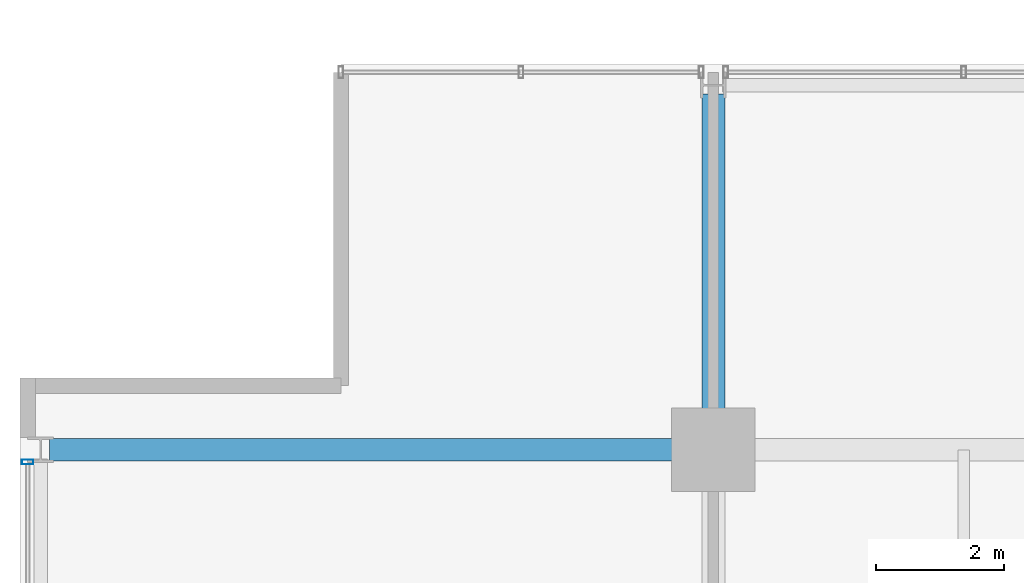
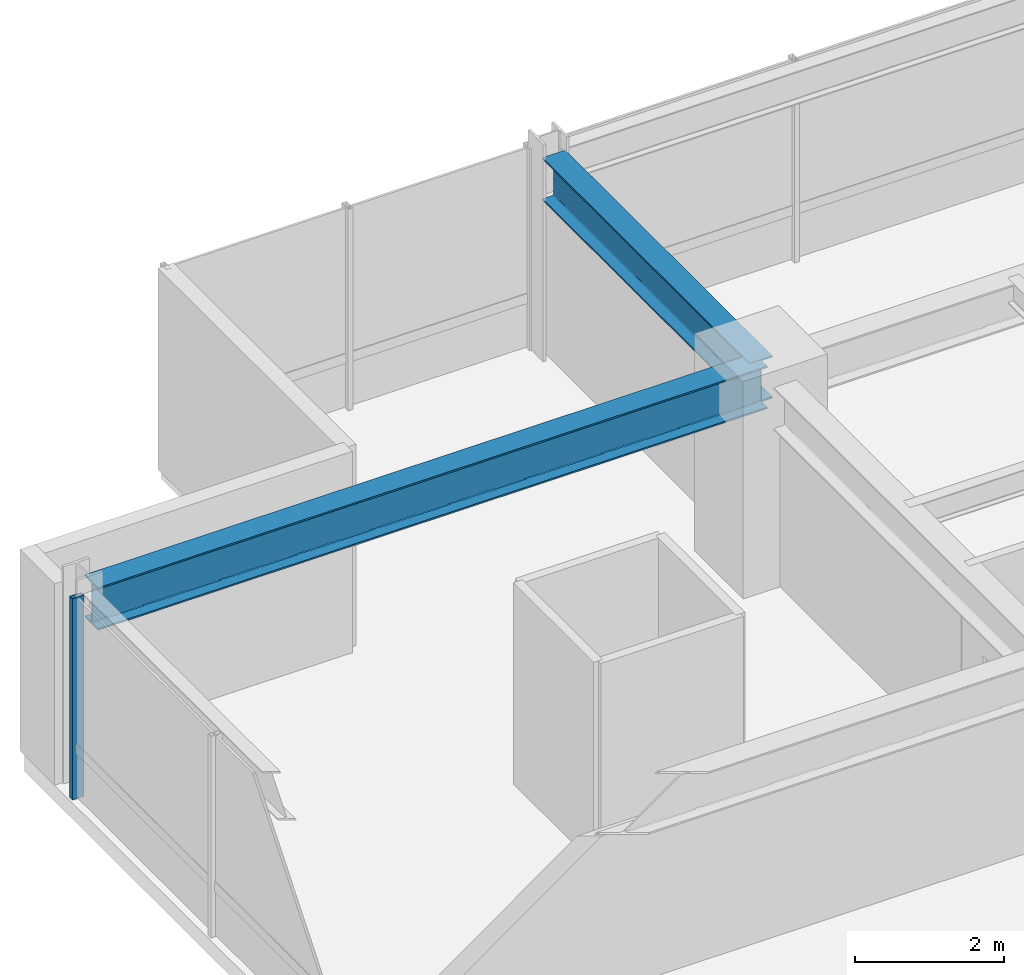
# One storey, part 19 of 33: 2 beams, 1 member, 1 element without a shape of its own.
"""IFC4 building model written with IfcOpenShell, lengths in metres."""

from ifc_helpers import new_model, si_unit, direction, frame, origin, origin_2d, place, context, subcontext, project, spatial, hollow_rectangle, i_section, extrude, material, layer, layer_set, material_profile, profile_set, type_object, element, aggregate, save


model = new_model("IFC4")

# Units and contexts
model_context = context("Model", 3, precision=1e-05, world=origin(), true_north=direction((0.0, 1.0)))
body_context = subcontext(model_context, "Body", "Model", "MODEL_VIEW")
ifc_project = project(units=[si_unit("LENGTHUNIT", "METRE"), si_unit("AREAUNIT", "SQUARE_METRE"), si_unit("VOLUMEUNIT", "CUBIC_METRE"), si_unit("PLANEANGLEUNIT", "RADIAN"), si_unit("MASSUNIT", "GRAM", prefix="KILO")], contexts=[model_context])

# Site, building, storey
site_placement = place(None, origin())
site = spatial("IfcSite", under=ifc_project, at=site_placement, CompositionType="ELEMENT")
building_placement = place(site_placement, origin())
building = spatial("IfcBuilding", under=site, at=building_placement, Name="Drelvath Grand Hotel", CompositionType="ELEMENT")
storey_placement = place(building_placement, frame((0.0, 0.0, 178.800048828125)))
storey = spatial("IfcBuildingStorey", under=building, at=storey_placement, Name="L46", CompositionType="ELEMENT", Elevation=178.800048828125)

# Curtain wall, member
ifc_material_1 = material(Name="Brushed Pale-Silver Anodised Aluminium Frame", Category="aluminium")
ifc_layer = layer(ifc_material_1, 0.199951171875)
ifc_layer_set = layer_set([ifc_layer], Name="Brushed Pale-Silver Anodised Aluminium Frame")
curtain_wall_type = type_object("IfcCurtainWallType", Name="Stick Curtain Wall CW-04 Brushed Silver Upper-Mid", PredefinedType="NOTDEFINED", material=ifc_layer_set)
curtain_wall_placement = place(storey_placement, origin())
curtain_wall = element("IfcCurtainWall", 1, at=curtain_wall_placement, inside=storey, type_object=curtain_wall_type, Name="L46 CW-04 Curtain Wall CW04-L46-WN2", PredefinedType="NOTDEFINED")
ifc_material_profile_1 = material_profile(ifc_material_1, hollow_rectangle(XDim=0.074951171875, YDim=0.179931640625, WallThickness=0.0048828125, at=origin_2d()), Name="HSS180X75X5")
ifc_profile_set_1 = profile_set([ifc_material_profile_1], Name="Brushed Pale-Silver Anodised Aluminium Frame")
member_type = type_object("IfcMemberType", Name="Curtain Wall Vertical Mullion CW-04 HSS180X75X5", PredefinedType="MULLION", material=ifc_profile_set_1)
member_placement = place(storey_placement, frame((-26.8798828125, 43.00830078125, 0.0), z_axis=(0.0, 0.0, 1.0), x_axis=(0.0, 1.0, 0.0)))
member = element("IfcMember", 2, at=member_placement, type_object=member_type, Name="CW04-L46-WN2 Mullion 3", PredefinedType="MULLION", context=body_context, shape_type="SweptSolid", body=[
    extrude(hollow_rectangle(XDim=0.074951171875, YDim=0.179931640625, WallThickness=0.0048828125, at=origin_2d()), origin(), (0.0, 0.0, 1.0), 3.2900390625),
])
aggregate(curtain_wall, [member])

# Beams
ifc_material_2 = material(Name="Steel ASTM A992 Gr 50", Category="steel")
ifc_material_profile_2 = material_profile(ifc_material_2, i_section(OverallWidth=0.354736328125, OverallDepth=0.695556640625, WebThickness=0.015380859375, FlangeThickness=0.025146484375, FilletRadius=0.02392578125, at=origin_2d()), Name="W27X146")
ifc_profile_set_2 = profile_set([ifc_material_profile_2], Name="Steel ASTM A992 Gr 50")
beam_type = type_object("IfcBeamType", Name="Primary Floor Girder W27X146", PredefinedType="BEAM", material=ifc_profile_set_2)
beam_1_placement = place(storey_placement, frame((-26.5400390625, 43.199951171875, 2.942138671875), z_axis=(1.0, 0.0, 0.0), x_axis=(0.0, 1.0, 0.0)))
element("IfcBeam", 3, at=beam_1_placement, inside=storey, type_object=beam_type, Name="L46 West Grid Girder G", PredefinedType="BEAM", context=body_context, shape_type="SweptSolid", body=[
    extrude(i_section(OverallWidth=0.354736328125, OverallDepth=0.695556640625, WebThickness=0.015380859375, FlangeThickness=0.025146484375, FilletRadius=0.02392578125, at=origin_2d()), origin(), (0.0, 0.0, 1.0), 10.340087890625),
])
beam_2_placement = place(storey_placement, frame((-16.199951171875, 43.199951171875, 2.942138671875), z_axis=(0.0, 1.0, 0.0), x_axis=(-1.0, 0.0, 0.0)))
element("IfcBeam", 4, at=beam_2_placement, inside=storey, type_object=beam_type, Name="L46 North Grid Girder 3", PredefinedType="BEAM", context=body_context, shape_type="SweptSolid", body=[
    extrude(i_section(OverallWidth=0.354736328125, OverallDepth=0.695556640625, WebThickness=0.015380859375, FlangeThickness=0.025146484375, FilletRadius=0.02392578125, at=origin_2d()), origin(), (0.0, 0.0, 1.0), 5.5400390625),
])

save(model, "model.ifc")
